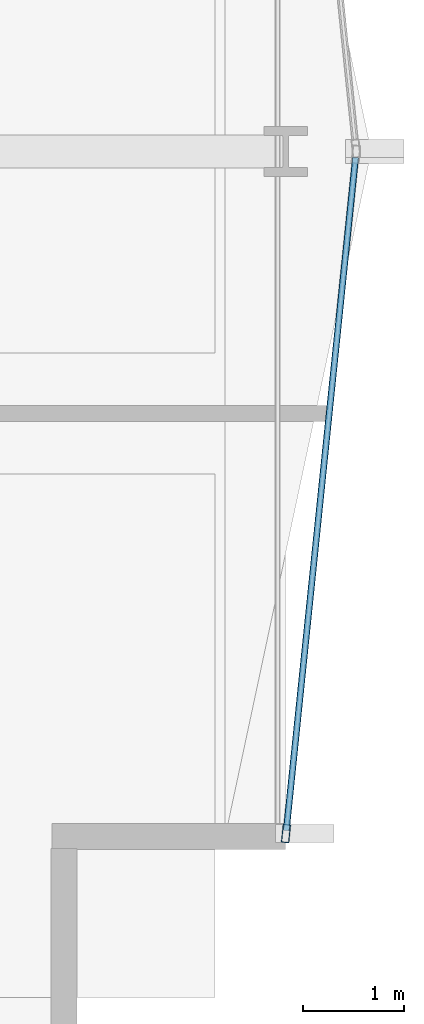
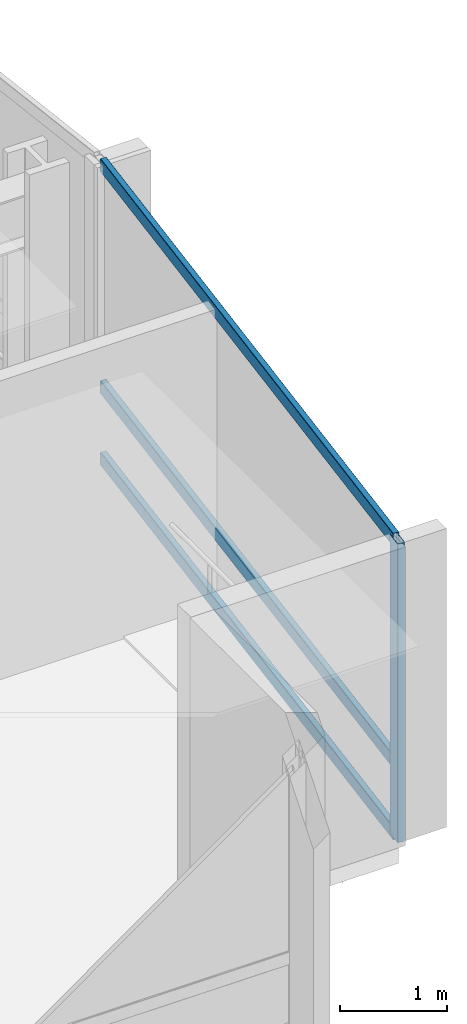
# One storey, part 13 of 34: 4 members, 1 element without a shape of its own.
"""IFC4 building model written with IfcOpenShell, lengths in metres."""

import ifcopenshell
import ifcopenshell.guid

model = None  # the IFC model being written
_history = None  # IfcOwnerHistory: only IFC2X3 demands one
_inside = {}  # id of a spatial element -> (the spatial element, [elements in it])
_under = {}  # id of a project, library or spatial element -> (it, [spatial elements below it])
_declared = {}  # id of a project -> (the project, [libraries it declares])
_typed = {}  # id of a type object -> (the type object, [elements of that type])
_made_of = {}  # id of a material, layer set ... -> (it, [elements and type objects made of it])


def new_model(schema):
    """Start an empty IFC model of exactly this schema.

    Asked for "IFC4X3", IfcOpenShell would pick the latest addendum, in which some entities
    have other attributes; the version numbers below select the first issue.
    IFC2X3 requires an IfcOwnerHistory on every rooted entity: one is made here for all.
    """
    global model, _history
    if schema == "IFC4X3":
        model = ifcopenshell.file(schema_version=(4, 3, 0, 0))
    else:
        model = ifcopenshell.file(schema=schema)
    _inside.clear()
    _under.clear()
    _declared.clear()
    _typed.clear()
    _made_of.clear()
    _history = None
    if model.schema == "IFC2X3":
        org = make("IfcOrganization", Name="unknown")
        user = make(
            "IfcPersonAndOrganization",
            ThePerson=make("IfcPerson", FamilyName="unknown"),
            TheOrganization=org,
        )
        app = make(
            "IfcApplication",
            ApplicationDeveloper=org,
            Version="unknown",
            ApplicationFullName="unknown",
            ApplicationIdentifier="unknown",
        )
        _history = make(
            "IfcOwnerHistory",
            OwningUser=user,
            OwningApplication=app,
            ChangeAction="ADDED",
            CreationDate=0,
        )
    return model


def make(cls, **values):
    """One entity of the class cls with the attributes given. An attribute that is None is left unset."""
    return model.create_entity(
        cls, **{name: value for name, value in values.items() if value is not None}
    )


def rooted(cls, **values):
    """An entity with a GlobalId (a new one), such as an element, a storey or a relation."""
    return make(cls, GlobalId=ifcopenshell.guid.new(), OwnerHistory=_history, **values)


def si_unit(unit_type, name, prefix=None):
    """IfcSIUnit, for example si_unit("LENGTHUNIT", "METRE", prefix="MILLI")."""
    return make("IfcSIUnit", UnitType=unit_type, Prefix=prefix, Name=name)


def assignment(units):
    """IfcUnitAssignment: the units of a project."""
    return None if units is None else make("IfcUnitAssignment", Units=units)


def point(xyz):
    """IfcCartesianPoint."""
    return None if xyz is None else make("IfcCartesianPoint", Coordinates=xyz)


def direction(xyz):
    """IfcDirection."""
    return None if xyz is None else make("IfcDirection", DirectionRatios=xyz)


def frame(location, z_axis=None, x_axis=None):
    """IfcAxis2Placement3D, a coordinate frame: its origin and axes. An axis left out is left unset."""
    return make(
        "IfcAxis2Placement3D",
        Location=point(location),
        Axis=direction(z_axis),
        RefDirection=direction(x_axis),
    )


def frame_2d(location, x_axis=None):
    """IfcAxis2Placement2D, a coordinate frame in the plane: its origin and x axis."""
    return make(
        "IfcAxis2Placement2D", Location=point(location), RefDirection=direction(x_axis)
    )


def origin():
    """The frame at (0, 0, 0) with its axes left unset."""
    return frame((0.0, 0.0, 0.0))


def origin_2d():
    """The frame at (0, 0) in the plane with its x axis left unset."""
    return frame_2d((0.0, 0.0))


def place(relative_to, where):
    """IfcLocalPlacement: puts the frame where relative to a parent placement (None: the world)."""
    return make(
        "IfcLocalPlacement", PlacementRelTo=relative_to, RelativePlacement=where
    )


def context(
    kind, dimensions, precision=None, world=None, true_north=None, identifier=None
):
    """IfcGeometricRepresentationContext, for example the 3D "Model" context."""
    return make(
        "IfcGeometricRepresentationContext",
        ContextIdentifier=identifier,
        ContextType=kind,
        CoordinateSpaceDimension=dimensions,
        Precision=precision,
        WorldCoordinateSystem=world,
        TrueNorth=true_north,
    )


def subcontext(parent, identifier, kind, view, scale=None):
    """IfcGeometricRepresentationSubContext, for example "Body" below "Model"."""
    return make(
        "IfcGeometricRepresentationSubContext",
        ContextIdentifier=identifier,
        ContextType=kind,
        ParentContext=parent,
        TargetScale=scale,
        TargetView=view,
    )


def project(units=None, contexts=None):
    """IfcProject with its units and contexts."""
    return rooted(
        "IfcProject",
        Name="project",
        RepresentationContexts=contexts,
        UnitsInContext=assignment(units),
    )


def spatial(cls, under=None, at=None, **own):
    """A site, building, storey or space (cls), placed at a placement, below another one or the project."""
    s = rooted(cls, ObjectPlacement=at, **own)
    if under is not None:
        _under.setdefault(under.id(), (under, []))[1].append(s)
    return s


def profile(cls, at=None, kind="AREA", **sizes):
    """A parametric profile (cls). Its sizes go by their IFC names, for example OverallWidth=200.0."""
    return make(cls, ProfileType=kind, Position=at, **sizes)


def hollow_rectangle(**sizes):
    """IfcRectangleHollowProfileDef."""
    return profile("IfcRectangleHollowProfileDef", **sizes)


def extrude(swept, where, along, depth):
    """IfcExtrudedAreaSolid: the profile swept, set in the frame where, extruded along a direction by depth."""
    return make(
        "IfcExtrudedAreaSolid",
        SweptArea=swept,
        Position=where,
        ExtrudedDirection=direction(along),
        Depth=depth,
    )


def shape(context_of_items, identifier, shape_type, items):
    """IfcShapeRepresentation: the items that make up one representation, for example the "Body"."""
    return make(
        "IfcShapeRepresentation",
        ContextOfItems=context_of_items,
        RepresentationIdentifier=identifier,
        RepresentationType=shape_type,
        Items=items,
    )


def material(Name=None, Category=None):
    """IfcMaterial."""
    return make("IfcMaterial", Name=Name, Category=Category)


def layer(
    of_material, thickness, ventilated=None, Name=None, Category=None, Priority=None
):
    """IfcMaterialLayer: one layer of a wall or slab, of a material (None: an air gap)."""
    return make(
        "IfcMaterialLayer",
        Material=of_material,
        LayerThickness=thickness,
        IsVentilated=ventilated,
        Name=Name,
        Category=Category,
        Priority=Priority,
    )


def layer_set(layers, Name=None):
    """IfcMaterialLayerSet."""
    return make("IfcMaterialLayerSet", MaterialLayers=layers, LayerSetName=Name)


def material_profile(
    of_material, cross_section, Name=None, Category=None, Priority=None
):
    """IfcMaterialProfile: a cross section and its material."""
    return make(
        "IfcMaterialProfile",
        Name=Name,
        Material=of_material,
        Profile=cross_section,
        Priority=Priority,
        Category=Category,
    )


def profile_set(profiles, Name=None, composite=None):
    """IfcMaterialProfileSet."""
    return make(
        "IfcMaterialProfileSet",
        Name=Name,
        MaterialProfiles=profiles,
        CompositeProfile=composite,
    )


def made_of(thing, what):
    """Note that an element or type object is made of a material, layer set ...; save() writes the relation."""
    if what is not None:
        _made_of.setdefault(what.id(), (what, []))[1].append(thing)
    return thing


def type_object(cls, material=None, **own):
    """A type object (cls), such as IfcWallType, which elements share."""
    return made_of(rooted(cls, **own), material)


def element(
    cls,
    number,
    at=None,
    inside=None,
    cuts=None,
    type_object=None,
    material=None,
    context=None,
    identifier="Body",
    shape_type=None,
    held_by="IfcProductDefinitionShape",
    body=None,
    shapes=None,
    **own,
):
    """One element of the class cls, such as IfcWall. Its Tag is "e" and its number.

    at: its placement. inside: the storey or other place that contains it. cuts: it is an
    opening in that element (IfcRelVoidsElement). A single representation is given by context,
    identifier, shape_type and body (its items); several are given by shapes. held_by: the class
    of the entity that holds the representations. save() writes the other relations.
    """
    e = rooted(cls, Tag="e%d" % number, ObjectPlacement=at, **own)
    if body is not None:
        shapes = [shape(context, identifier, shape_type, body)]
    if shapes is not None:
        e.Representation = make(held_by, Representations=shapes)
    if inside is not None:
        _inside.setdefault(inside.id(), (inside, []))[1].append(e)
    if cuts is not None:
        rooted(
            "IfcRelVoidsElement", RelatingBuildingElement=cuts, RelatedOpeningElement=e
        )
    if type_object is not None:
        _typed.setdefault(type_object.id(), (type_object, []))[1].append(e)
    return made_of(e, material)


def aggregate(whole, parts):
    """IfcRelAggregates: a whole, such as a stair, and the parts it consists of."""
    return rooted("IfcRelAggregates", RelatingObject=whole, RelatedObjects=parts)


def save(model, path):
    """Write the relations noted so far, then the file.

    IfcRelAggregates (storeys below a building ...), IfcRelContainedInSpatialStructure (elements
    in a storey), IfcRelDefinesByType, IfcRelAssociatesMaterial and IfcRelDeclares: one each for
    every whole, place, type object, material and project.
    """
    for whole, parts in _under.values():
        aggregate(whole, parts)
    for where, things in _inside.values():
        rooted(
            "IfcRelContainedInSpatialStructure",
            RelatedElements=things,
            RelatingStructure=where,
        )
    for kind, things in _typed.values():
        rooted("IfcRelDefinesByType", RelatedObjects=things, RelatingType=kind)
    for what, things in _made_of.values():
        rooted("IfcRelAssociatesMaterial", RelatedObjects=things, RelatingMaterial=what)
    for by, libraries in _declared.values():
        rooted("IfcRelDeclares", RelatingContext=by, RelatedDefinitions=libraries)
    model.write(path)


model = new_model("IFC4")

# Units and contexts
model_context = context("Model", 3, precision=1e-05, world=origin(), true_north=direction((0.0, 1.0)))
body_context = subcontext(model_context, "Body", "Model", "MODEL_VIEW")
ifc_project = project(units=[si_unit("LENGTHUNIT", "METRE"), si_unit("AREAUNIT", "SQUARE_METRE"), si_unit("VOLUMEUNIT", "CUBIC_METRE"), si_unit("PLANEANGLEUNIT", "RADIAN"), si_unit("MASSUNIT", "GRAM", prefix="KILO")], contexts=[model_context])

# Site, building, storey
site_placement = place(None, origin())
site = spatial("IfcSite", under=ifc_project, at=site_placement, CompositionType="ELEMENT")
building_placement = place(site_placement, origin())
building = spatial("IfcBuilding", under=site, at=building_placement, Name="Solvaryn Broadcast Tower", CompositionType="ELEMENT")
storey_placement = place(building_placement, frame((0.0, 0.0, 39.699951171875)))
storey = spatial("IfcBuildingStorey", under=building, at=storey_placement, Name="L08", CompositionType="ELEMENT", Elevation=39.699951171875)

# Curtain wall, members
ifc_material_1 = material(Name="Aluminium and Terracotta Unitised Curtain Wall", Category="masonry")
ifc_layer = layer(ifc_material_1, 0.199951171875)
ifc_layer_set = layer_set([ifc_layer], Name="CW-SYS2-LOWMID")
curtain_wall_type = type_object("IfcCurtainWallType", Name="CW-SYS2-LOWMID", PredefinedType="NOTDEFINED", material=ifc_layer_set)
curtain_wall_placement = place(storey_placement, origin())
curtain_wall = element("IfcCurtainWall", 1, at=curtain_wall_placement, inside=storey, type_object=curtain_wall_type, Name="L08 Curtain Wall ET2", PredefinedType="NOTDEFINED")
ifc_material_2 = material(Name="Anodised Aluminium 6063-T6", Category="aluminium")
ifc_material_profile_1 = material_profile(ifc_material_2, hollow_rectangle(XDim=0.074951171875, YDim=0.179931640625, WallThickness=0.00390625, InnerFilletRadius=0.00390625, OuterFilletRadius=0.008056640625, at=origin_2d()))
ifc_profile_set_1 = profile_set([ifc_material_profile_1], Name="Anodised Aluminium 6063-T6")
member_type_1 = type_object("IfcMemberType", Name="CW-MUL-180", PredefinedType="MULLION", material=ifc_profile_set_1)
member_1_placement = place(storey_placement, frame((63.003173828125, 11.229736328125, 0.0), z_axis=(0.0, 0.0, 1.0), x_axis=(0.99474329889, -0.10240004548, 0.0)))
member_1 = element("IfcMember", 2, at=member_1_placement, type_object=member_type_1, Name="CWS2 mullion 2", PredefinedType="MULLION", context=body_context, shape_type="SweptSolid", body=[
    extrude(hollow_rectangle(XDim=0.074951171875, YDim=0.179931640625, WallThickness=0.00390625, InnerFilletRadius=0.00390625, OuterFilletRadius=0.008056640625, at=origin_2d()), origin(), (0.0, 0.0, 1.0), 3.420166015625),
])
ifc_material_3 = material(Name="Anodised Aluminium 6063-T6", Category="aluminium")
ifc_material_profile_2 = material_profile(ifc_material_3, hollow_rectangle(XDim=0.06494140625, YDim=0.14990234375, WallThickness=0.00390625, InnerFilletRadius=0.00390625, OuterFilletRadius=0.008056640625, at=origin_2d()))
ifc_profile_set_2 = profile_set([ifc_material_profile_2], Name="Anodised Aluminium 6063-T6")
member_type_2 = type_object("IfcMemberType", Name="CW-TRN-150", PredefinedType="USERDEFINED", material=ifc_profile_set_2)
member_2_placement = place(storey_placement, frame((63.69384765625, 17.9404296875, 0.030029296875), z_axis=(-0.102404277363, -0.994742863245, 0.0), x_axis=(0.994742863245, -0.102404277363, 0.0)))
member_2 = element("IfcMember", 3, at=member_2_placement, type_object=member_type_2, Name="CWS2 transom 1.1", ObjectType="TRANSOM", PredefinedType="USERDEFINED", context=body_context, shape_type="SweptSolid", body=[
    extrude(hollow_rectangle(XDim=0.06494140625, YDim=0.14990234375, WallThickness=0.00390625, InnerFilletRadius=0.00390625, OuterFilletRadius=0.008056640625, at=origin_2d()), origin(), (0.0, 0.0, 1.0), 6.716064453125),
])
member_3_placement = place(storey_placement, frame((63.69384765625, 17.9404296875, 0.85009765625), z_axis=(-0.102404277363, -0.994742863245, 0.0), x_axis=(0.994742863245, -0.102404277363, 0.0)))
member_3 = element("IfcMember", 4, at=member_3_placement, type_object=member_type_2, Name="CWS2 transom 1.2", ObjectType="TRANSOM", PredefinedType="USERDEFINED", context=body_context, shape_type="SweptSolid", body=[
    extrude(hollow_rectangle(XDim=0.06494140625, YDim=0.14990234375, WallThickness=0.00390625, InnerFilletRadius=0.00390625, OuterFilletRadius=0.008056640625, at=origin_2d()), origin(), (0.0, 0.0, 1.0), 6.716064453125),
])
member_4_placement = place(storey_placement, frame((63.69384765625, 17.9404296875, 3.39013671875), z_axis=(-0.102404277363, -0.994742863245, 0.0), x_axis=(0.994742863245, -0.102404277363, 0.0)))
member_4 = element("IfcMember", 5, at=member_4_placement, type_object=member_type_2, Name="CWS2 transom 1.3", ObjectType="TRANSOM", PredefinedType="USERDEFINED", context=body_context, shape_type="SweptSolid", body=[
    extrude(hollow_rectangle(XDim=0.06494140625, YDim=0.14990234375, WallThickness=0.00390625, InnerFilletRadius=0.00390625, OuterFilletRadius=0.008056640625, at=origin_2d()), origin(), (0.0, 0.0, 1.0), 6.716064453125),
])
aggregate(curtain_wall, [member_1, member_2, member_3, member_4])

save(model, "model.ifc")
